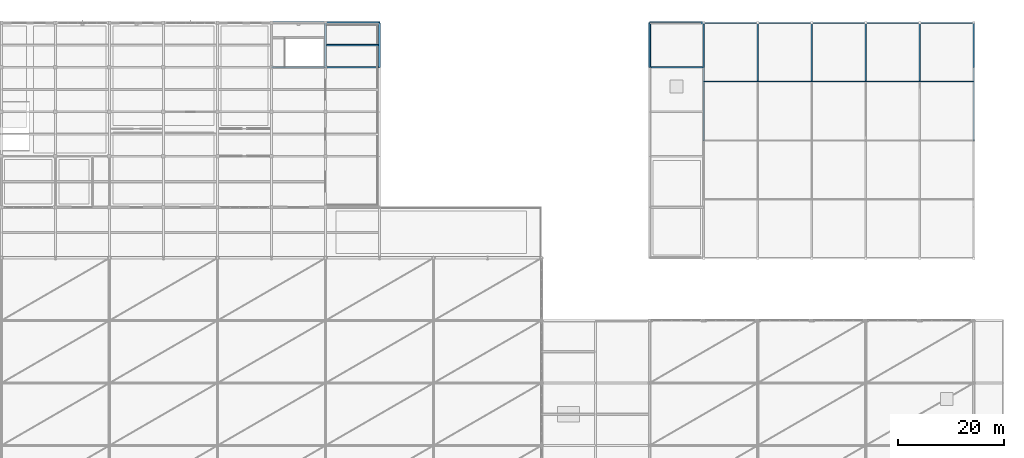
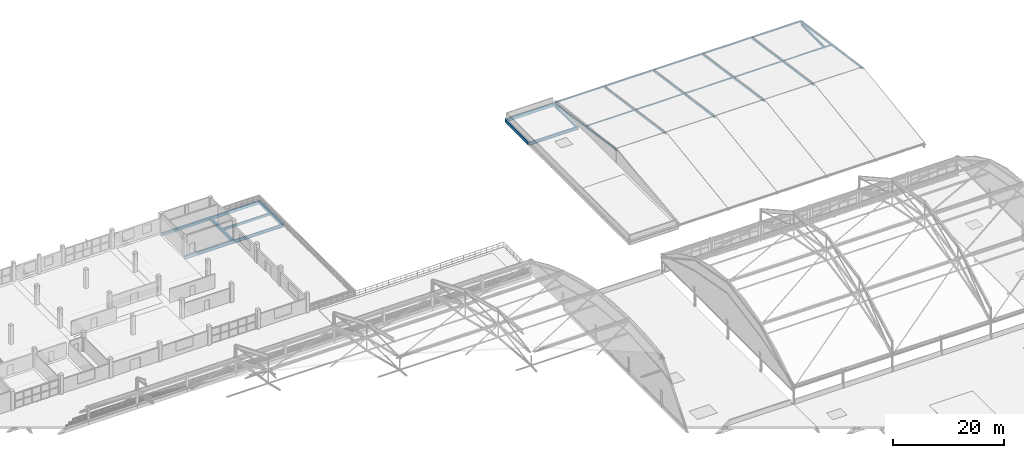
# One storey, part 105 of 135: 16 members, 12 beams.
"""IFC4 building model written with IfcOpenShell, lengths in metres."""

from ifc_helpers import new_model, si_unit, direction, frame, origin, origin_2d, place, context, subcontext, project, spatial, rectangle, hollow_rectangle, i_section, extrude, material, material_profile, profile_set, type_object, element, save


model = new_model("IFC4")

# Units and contexts
model_context = context("Model", 3, precision=1e-05, world=origin(), true_north=direction((0.0, 1.0)))
body_context = subcontext(model_context, "Body", "Model", "MODEL_VIEW")
ifc_project = project(units=[si_unit("LENGTHUNIT", "METRE"), si_unit("AREAUNIT", "SQUARE_METRE"), si_unit("VOLUMEUNIT", "CUBIC_METRE"), si_unit("PLANEANGLEUNIT", "RADIAN"), si_unit("MASSUNIT", "GRAM", prefix="KILO")], contexts=[model_context])

# Site, building, storey
site_placement = place(None, origin())
site = spatial("IfcSite", under=ifc_project, at=site_placement, CompositionType="ELEMENT")
building_placement = place(site_placement, origin())
building = spatial("IfcBuilding", under=site, at=building_placement, Name="Brelvane Convention Centre", CompositionType="ELEMENT")
storey_placement = place(building_placement, frame((0.0, 0.0, 15.0)))
storey = spatial("IfcBuildingStorey", under=building, at=storey_placement, Name="L03", CompositionType="ELEMENT", Elevation=15.0)

# Beams
ifc_material_1 = material(Name="Concrete M40", Category="concrete")
ifc_material_profile_1 = material_profile(ifc_material_1, rectangle(XDim=0.39990234375, YDim=0.64990234375, at=origin_2d()), Name="RC 400x650")
ifc_profile_set_1 = profile_set([ifc_material_profile_1], Name="Concrete M40")
beam_type_1 = type_object("IfcBeamType", Name="RC Beam B-RC7 (RC 400x650)", PredefinedType="BEAM", material=ifc_profile_set_1)
for number, where, z_axis, x_axis, name in (
    (1, (102.0, 135.60009765625, -0.635009765625), (0.0, 1.0, 0.0), (-1.0, 0.0, 0.0), "L03 Girder 11/P-Q"),
    (2, (112.199951171875, 135.60009765625, -0.635009765625), (0.0, 1.0, 0.0), (-1.0, 0.0, 0.0), "L03 Girder 12/P-Q"),
):
    element("IfcBeam", number, at=place(storey_placement, frame(where, z_axis=z_axis, x_axis=x_axis)), inside=storey, type_object=beam_type_1, Name=name, PredefinedType="BEAM", context=body_context, shape_type="SweptSolid", body=[
        extrude(rectangle(XDim=0.39990234375, YDim=0.64990234375, at=origin_2d()), origin(), (0.0, 0.0, 1.0), 8.39990234375),
    ])
ifc_material_2 = material(Name="Concrete M40", Category="concrete")
ifc_material_profile_2 = material_profile(ifc_material_2, rectangle(XDim=0.300048828125, YDim=0.5, at=origin_2d()), Name="RC 300x500")
ifc_profile_set_2 = profile_set([ifc_material_profile_2], Name="Concrete M40")
beam_type_2 = type_object("IfcBeamType", Name="RC Joist J-RC2 (RC 300x500)", PredefinedType="JOIST", material=ifc_profile_set_2)
beam_1_placement = place(storey_placement, frame((102.199951171875, 139.800048828125, -0.56005859375), z_axis=(1.0, 0.0, 0.0), x_axis=(0.0, 1.0, 0.0)))
element("IfcBeam", 3, at=beam_1_placement, inside=storey, type_object=beam_type_2, Name="L03 Secondary Joist 11-12/PQ", PredefinedType="JOIST", context=body_context, shape_type="SweptSolid", body=[
    extrude(rectangle(XDim=0.300048828125, YDim=0.5, at=origin_2d()), origin(), (0.0, 0.0, 1.0), 9.800048828125),
])
ifc_material_3 = material(Name="Concrete M40", Category="concrete")
ifc_material_profile_3 = material_profile(ifc_material_3, rectangle(XDim=0.35009765625, YDim=0.60009765625, at=origin_2d()), Name="RC 350x600")
ifc_profile_set_3 = profile_set([ifc_material_profile_3], Name="Concrete M40")
beam_type_3 = type_object("IfcBeamType", Name="RC Spandrel SP-RC2 (RC 350x600)", PredefinedType="SPANDREL", material=ifc_profile_set_3)
for number, where, z_axis, x_axis, name in (
    (4, (91.800048828125, 144.0, -0.594970703125), (1.0, 0.0, 0.0), (0.0, 1.0, 0.0), "L03 Beam 10-11/Q"),
    (5, (102.0, 144.0, -0.610107421875), (1.0, 0.0, 0.0), (0.0, 1.0, 0.0), "L03 Beam 11-12/Q"),
    (6, (163.199951171875, 144.0, -0.60009765625), (1.0, 0.0, 0.0), (0.0, 1.0, 0.0), "L03 Beam 17-18/Q"),
):
    element("IfcBeam", number, at=place(storey_placement, frame(where, z_axis=z_axis, x_axis=x_axis)), inside=storey, type_object=beam_type_3, Name=name, PredefinedType="SPANDREL", context=body_context, shape_type="SweptSolid", body=[
        extrude(rectangle(XDim=0.35009765625, YDim=0.60009765625, at=origin_2d()), origin(), (0.0, 0.0, 1.0), 10.199951171875),
    ])
beam_2_placement = place(storey_placement, frame((163.199951171875, 135.60009765625, -0.60009765625), z_axis=(0.0, 1.0, 0.0), x_axis=(-1.0, 0.0, 0.0)))
element("IfcBeam", 7, at=beam_2_placement, inside=storey, type_object=beam_type_3, Name="L03 Girder 17/P-Q", PredefinedType="SPANDREL", context=body_context, shape_type="SweptSolid", body=[
    extrude(rectangle(XDim=0.35009765625, YDim=0.60009765625, at=origin_2d()), origin(), (0.0, 0.0, 1.0), 8.39990234375),
])
ifc_material_4 = material(Name="Steel E350 (350 MPa)", Category="steel")
ifc_material_profile_4 = material_profile(ifc_material_4, i_section(OverallWidth=0.300048828125, OverallDepth=0.64990234375, WebThickness=0.014404296875, FlangeThickness=0.02587890625, FilletRadius=0.02392578125, at=origin_2d()), Name="NPB 650x300")
ifc_profile_set_4 = profile_set([ifc_material_profile_4], Name="Steel E350 (350 MPa)")
beam_type_4 = type_object("IfcBeamType", Name="Steel Beam B-ST4 (NPB 650x300)", PredefinedType="BEAM", material=ifc_profile_set_4)
for number, where, z_axis, x_axis, name in (
    (8, (91.800048828125, 135.60009765625, -0.6201171875), (1.0, 0.0, 0.0), (0.0, 1.0, 0.0), "L03 Beam 10-11/P"),
    (9, (102.0, 135.60009765625, -0.635009765625), (1.0, 0.0, 0.0), (0.0, 1.0, 0.0), "L03 Beam 11-12/P"),
    (10, (163.199951171875, 135.60009765625, -0.625), (1.0, 0.0, 0.0), (0.0, 1.0, 0.0), "L03 Beam 17-18/P"),
):
    element("IfcBeam", number, at=place(storey_placement, frame(where, z_axis=z_axis, x_axis=x_axis)), inside=storey, type_object=beam_type_4, Name=name, PredefinedType="BEAM", context=body_context, shape_type="SweptSolid", body=[
        extrude(i_section(OverallWidth=0.300048828125, OverallDepth=0.64990234375, WebThickness=0.014404296875, FlangeThickness=0.02587890625, FilletRadius=0.02392578125, at=origin_2d()), origin(), (0.0, 0.0, 1.0), 10.199951171875),
    ])

# Members
ifc_material_5 = material(Name="Steel E350 (350 MPa)", Category="steel")
ifc_material_profile_5 = material_profile(ifc_material_5, hollow_rectangle(XDim=0.199951171875, YDim=0.35009765625, WallThickness=0.012451171875, InnerFilletRadius=0.012451171875, OuterFilletRadius=0.02490234375, at=origin_2d()), Name="RHS 350x200x12.5")
ifc_profile_set_5 = profile_set([ifc_material_profile_5], Name="Steel E350 (350 MPa)")
member_type_1 = type_object("IfcMemberType", Name="Steel Chord TR-CH1 (RHS 350x200x12.5)", PredefinedType="CHORD", material=ifc_profile_set_5)
for number, where, z_axis, x_axis, name in (
    (11, (173.39990234375, 121.800048828125, 2.780029296875), (0.0, 0.989770632644, -0.142667777568), (-1.0, 0.0, 0.0), "Ballroom Roof Truss Top Chord T1-N"),
    (12, (183.60009765625, 121.800048828125, 2.780029296875), (0.0, 0.989770632644, -0.142667777568), (-1.0, 0.0, 0.0), "Ballroom Roof Truss Top Chord T2-N"),
    (13, (193.800048828125, 121.800048828125, 2.780029296875), (0.0, 0.989770632644, -0.142667777568), (-1.0, 0.0, 0.0), "Ballroom Roof Truss Top Chord T3-N"),
    (14, (204.0, 121.800048828125, 2.780029296875), (0.0, 0.989770632644, -0.142667777568), (-1.0, 0.0, 0.0), "Ballroom Roof Truss Top Chord T4-N"),
    (15, (214.199951171875, 121.800048828125, 2.780029296875), (0.0, 0.989770632644, -0.142667777568), (-1.0, 0.0, 0.0), "Ballroom Roof Truss Top Chord T5-N"),
    (16, (224.39990234375, 121.800048828125, 2.780029296875), (0.0, 0.989770632644, -0.142667777568), (-1.0, 0.0, 0.0), "Ballroom Roof Truss Top Chord T6-N"),
):
    element("IfcMember", number, at=place(storey_placement, frame(where, z_axis=z_axis, x_axis=x_axis)), inside=storey, type_object=member_type_1, Name=name, PredefinedType="CHORD", context=body_context, shape_type="SweptSolid", body=[
        extrude(hollow_rectangle(XDim=0.199951171875, YDim=0.35009765625, WallThickness=0.012451171875, InnerFilletRadius=0.012451171875, OuterFilletRadius=0.02490234375, at=origin_2d()), origin(), (0.0, 0.0, 1.0), 22.429443359375),
    ])
ifc_material_6 = material(Name="Steel E350 (350 MPa)", Category="steel")
ifc_material_profile_6 = material_profile(ifc_material_6, i_section(OverallWidth=0.10009765625, OverallDepth=0.199951171875, WebThickness=0.005615234375, FlangeThickness=0.0107421875, FilletRadius=0.010986328125, at=origin_2d()), Name="ISMB 200")
ifc_profile_set_6 = profile_set([ifc_material_profile_6], Name="Steel E350 (350 MPa)")
member_type_2 = type_object("IfcMemberType", Name="Steel Purlin PR-ST2 (ISMB 200)", PredefinedType="PURLIN", material=ifc_profile_set_6)
for number, where, z_axis, x_axis, name in (
    (17, (173.39990234375, 132.89990234375, 1.300048828125), (1.0, 0.0, 0.0), (0.0, 1.0, 0.0), "Ballroom Roof Purlin B1-P4"),
    (18, (173.39990234375, 144.0, -0.300048828125), (1.0, 0.0, 0.0), (0.0, 1.0, 0.0), "Ballroom Roof Purlin B1-P5"),
):
    element("IfcMember", number, at=place(storey_placement, frame(where, z_axis=z_axis, x_axis=x_axis)), inside=storey, type_object=member_type_2, Name=name, PredefinedType="PURLIN", context=body_context, shape_type="SweptSolid", body=[
        extrude(i_section(OverallWidth=0.10009765625, OverallDepth=0.199951171875, WebThickness=0.005615234375, FlangeThickness=0.0107421875, FilletRadius=0.010986328125, at=origin_2d()), origin(), (0.0, 0.0, 1.0), 10.2001953125),
    ])
for number, where, z_axis, x_axis, name in (
    (19, (183.60009765625, 132.89990234375, 1.300048828125), (1.0, 0.0, 0.0), (0.0, 1.0, 0.0), "Ballroom Roof Purlin B2-P4"),
    (20, (183.60009765625, 144.0, -0.300048828125), (1.0, 0.0, 0.0), (0.0, 1.0, 0.0), "Ballroom Roof Purlin B2-P5"),
    (21, (193.800048828125, 132.89990234375, 1.300048828125), (1.0, 0.0, 0.0), (0.0, 1.0, 0.0), "Ballroom Roof Purlin B3-P4"),
    (22, (193.800048828125, 144.0, -0.300048828125), (1.0, 0.0, 0.0), (0.0, 1.0, 0.0), "Ballroom Roof Purlin B3-P5"),
    (23, (204.0, 132.89990234375, 1.300048828125), (1.0, 0.0, 0.0), (0.0, 1.0, 0.0), "Ballroom Roof Purlin B4-P4"),
    (24, (204.0, 144.0, -0.300048828125), (1.0, 0.0, 0.0), (0.0, 1.0, 0.0), "Ballroom Roof Purlin B4-P5"),
    (25, (214.199951171875, 132.89990234375, 1.300048828125), (1.0, 0.0, 0.0), (0.0, 1.0, 0.0), "Ballroom Roof Purlin B5-P4"),
    (26, (214.199951171875, 144.0, -0.300048828125), (1.0, 0.0, 0.0), (0.0, 1.0, 0.0), "Ballroom Roof Purlin B5-P5"),
):
    element("IfcMember", number, at=place(storey_placement, frame(where, z_axis=z_axis, x_axis=x_axis)), inside=storey, type_object=member_type_2, Name=name, PredefinedType="PURLIN", context=body_context, shape_type="SweptSolid", body=[
        extrude(i_section(OverallWidth=0.10009765625, OverallDepth=0.199951171875, WebThickness=0.005615234375, FlangeThickness=0.0107421875, FilletRadius=0.010986328125, at=origin_2d()), origin(), (0.0, 0.0, 1.0), 10.199951171875),
    ])

# Beams
ifc_material_7 = material(Name="Steel E350 (350 MPa)", Category="steel")
ifc_material_profile_7 = material_profile(ifc_material_7, i_section(OverallWidth=0.25, OverallDepth=0.5, WebThickness=0.010009765625, FlangeThickness=0.0146484375, FilletRadius=0.01611328125, at=origin_2d()), Name="ISWB 500")
ifc_profile_set_7 = profile_set([ifc_material_profile_7], Name="Steel E350 (350 MPa)")
beam_type_5 = type_object("IfcBeamType", Name="Steel Spandrel SP-ST1 (ISWB 500)", PredefinedType="SPANDREL", material=ifc_profile_set_7)
for number, where, z_axis, x_axis, name in (
    (27, (173.39990234375, 135.60009765625, -0.89990234375), (0.0, 1.0, 0.0), (-1.0, 0.0, 0.0), "Ballroom Gable Tie Girder W-5"),
    (28, (224.39990234375, 135.60009765625, -0.89990234375), (0.0, 1.0, 0.0), (-1.0, 0.0, 0.0), "Ballroom Gable Tie Girder E-5"),
):
    element("IfcBeam", number, at=place(storey_placement, frame(where, z_axis=z_axis, x_axis=x_axis)), inside=storey, type_object=beam_type_5, Name=name, PredefinedType="SPANDREL", context=body_context, shape_type="SweptSolid", body=[
        extrude(i_section(OverallWidth=0.25, OverallDepth=0.5, WebThickness=0.010009765625, FlangeThickness=0.0146484375, FilletRadius=0.01611328125, at=origin_2d()), origin(), (0.0, 0.0, 1.0), 8.39990234375),
    ])

save(model, "model.ifc")
